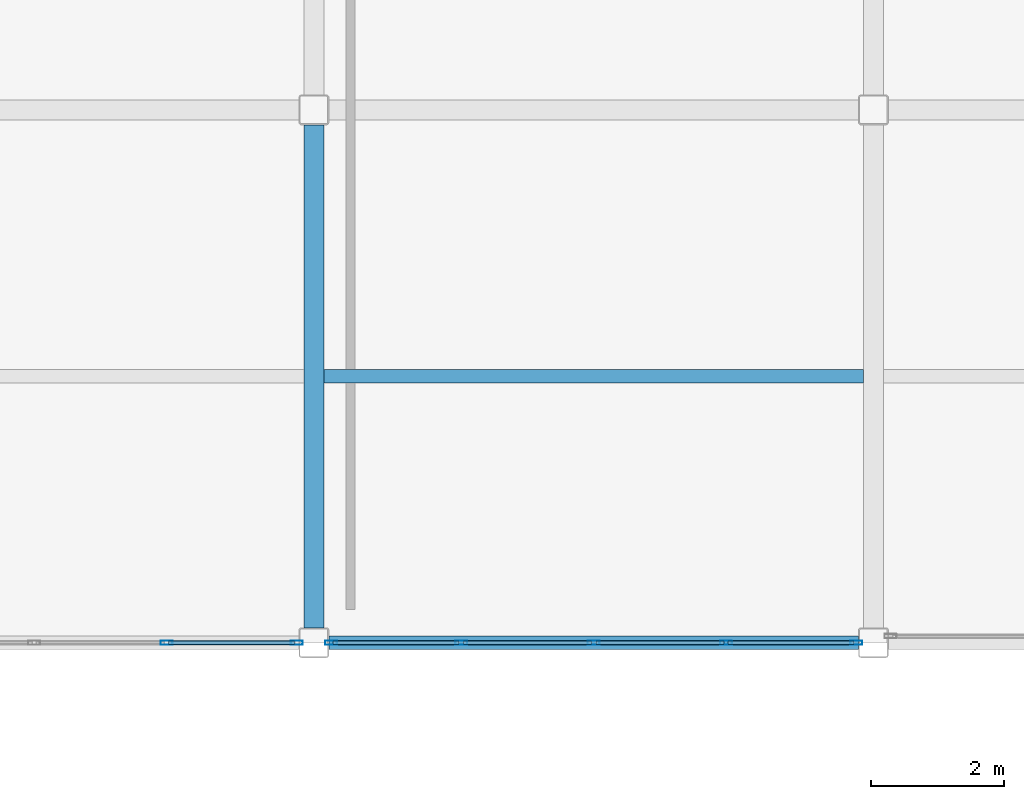
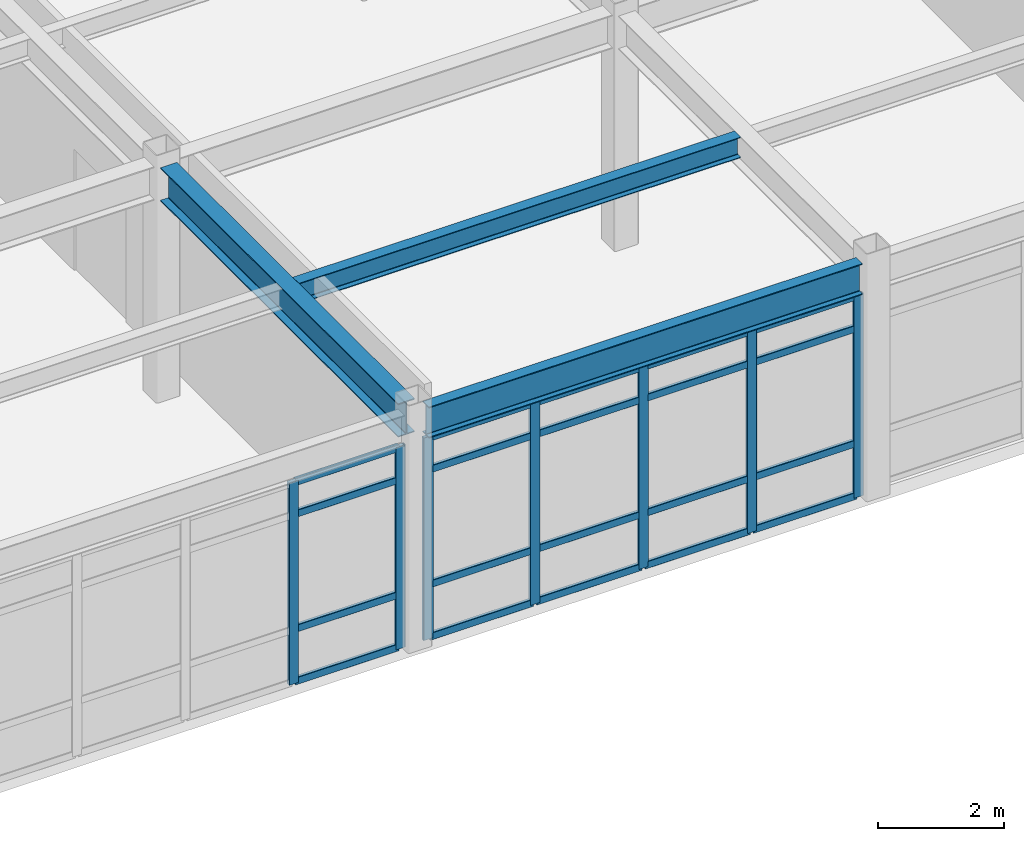
# One storey, part 80 of 172: 27 members, 3 beams, 2 elements without a shape of their own.
"""IFC4 building model written with IfcOpenShell, lengths in metres."""

import ifcopenshell
import ifcopenshell.guid

model = None  # the IFC model being written
_history = None  # IfcOwnerHistory: only IFC2X3 demands one
_inside = {}  # id of a spatial element -> (the spatial element, [elements in it])
_under = {}  # id of a project, library or spatial element -> (it, [spatial elements below it])
_declared = {}  # id of a project -> (the project, [libraries it declares])
_typed = {}  # id of a type object -> (the type object, [elements of that type])
_made_of = {}  # id of a material, layer set ... -> (it, [elements and type objects made of it])


def new_model(schema):
    """Start an empty IFC model of exactly this schema.

    Asked for "IFC4X3", IfcOpenShell would pick the latest addendum, in which some entities
    have other attributes; the version numbers below select the first issue.
    IFC2X3 requires an IfcOwnerHistory on every rooted entity: one is made here for all.
    """
    global model, _history
    if schema == "IFC4X3":
        model = ifcopenshell.file(schema_version=(4, 3, 0, 0))
    else:
        model = ifcopenshell.file(schema=schema)
    _inside.clear()
    _under.clear()
    _declared.clear()
    _typed.clear()
    _made_of.clear()
    _history = None
    if model.schema == "IFC2X3":
        org = make("IfcOrganization", Name="unknown")
        user = make(
            "IfcPersonAndOrganization",
            ThePerson=make("IfcPerson", FamilyName="unknown"),
            TheOrganization=org,
        )
        app = make(
            "IfcApplication",
            ApplicationDeveloper=org,
            Version="unknown",
            ApplicationFullName="unknown",
            ApplicationIdentifier="unknown",
        )
        _history = make(
            "IfcOwnerHistory",
            OwningUser=user,
            OwningApplication=app,
            ChangeAction="ADDED",
            CreationDate=0,
        )
    return model


def make(cls, **values):
    """One entity of the class cls with the attributes given. An attribute that is None is left unset."""
    return model.create_entity(
        cls, **{name: value for name, value in values.items() if value is not None}
    )


def rooted(cls, **values):
    """An entity with a GlobalId (a new one), such as an element, a storey or a relation."""
    return make(cls, GlobalId=ifcopenshell.guid.new(), OwnerHistory=_history, **values)


def si_unit(unit_type, name, prefix=None):
    """IfcSIUnit, for example si_unit("LENGTHUNIT", "METRE", prefix="MILLI")."""
    return make("IfcSIUnit", UnitType=unit_type, Prefix=prefix, Name=name)


def assignment(units):
    """IfcUnitAssignment: the units of a project."""
    return None if units is None else make("IfcUnitAssignment", Units=units)


def point(xyz):
    """IfcCartesianPoint."""
    return None if xyz is None else make("IfcCartesianPoint", Coordinates=xyz)


def direction(xyz):
    """IfcDirection."""
    return None if xyz is None else make("IfcDirection", DirectionRatios=xyz)


def frame(location, z_axis=None, x_axis=None):
    """IfcAxis2Placement3D, a coordinate frame: its origin and axes. An axis left out is left unset."""
    return make(
        "IfcAxis2Placement3D",
        Location=point(location),
        Axis=direction(z_axis),
        RefDirection=direction(x_axis),
    )


def frame_2d(location, x_axis=None):
    """IfcAxis2Placement2D, a coordinate frame in the plane: its origin and x axis."""
    return make(
        "IfcAxis2Placement2D", Location=point(location), RefDirection=direction(x_axis)
    )


def origin():
    """The frame at (0, 0, 0) with its axes left unset."""
    return frame((0.0, 0.0, 0.0))


def origin_2d():
    """The frame at (0, 0) in the plane with its x axis left unset."""
    return frame_2d((0.0, 0.0))


def place(relative_to, where):
    """IfcLocalPlacement: puts the frame where relative to a parent placement (None: the world)."""
    return make(
        "IfcLocalPlacement", PlacementRelTo=relative_to, RelativePlacement=where
    )


def context(
    kind, dimensions, precision=None, world=None, true_north=None, identifier=None
):
    """IfcGeometricRepresentationContext, for example the 3D "Model" context."""
    return make(
        "IfcGeometricRepresentationContext",
        ContextIdentifier=identifier,
        ContextType=kind,
        CoordinateSpaceDimension=dimensions,
        Precision=precision,
        WorldCoordinateSystem=world,
        TrueNorth=true_north,
    )


def subcontext(parent, identifier, kind, view, scale=None):
    """IfcGeometricRepresentationSubContext, for example "Body" below "Model"."""
    return make(
        "IfcGeometricRepresentationSubContext",
        ContextIdentifier=identifier,
        ContextType=kind,
        ParentContext=parent,
        TargetScale=scale,
        TargetView=view,
    )


def project(units=None, contexts=None):
    """IfcProject with its units and contexts."""
    return rooted(
        "IfcProject",
        Name="project",
        RepresentationContexts=contexts,
        UnitsInContext=assignment(units),
    )


def spatial(cls, under=None, at=None, **own):
    """A site, building, storey or space (cls), placed at a placement, below another one or the project."""
    s = rooted(cls, ObjectPlacement=at, **own)
    if under is not None:
        _under.setdefault(under.id(), (under, []))[1].append(s)
    return s


def profile(cls, at=None, kind="AREA", **sizes):
    """A parametric profile (cls). Its sizes go by their IFC names, for example OverallWidth=200.0."""
    return make(cls, ProfileType=kind, Position=at, **sizes)


def hollow_rectangle(**sizes):
    """IfcRectangleHollowProfileDef."""
    return profile("IfcRectangleHollowProfileDef", **sizes)


def i_section(**sizes):
    """IfcIShapeProfileDef."""
    return profile("IfcIShapeProfileDef", **sizes)


def extrude(swept, where, along, depth):
    """IfcExtrudedAreaSolid: the profile swept, set in the frame where, extruded along a direction by depth."""
    return make(
        "IfcExtrudedAreaSolid",
        SweptArea=swept,
        Position=where,
        ExtrudedDirection=direction(along),
        Depth=depth,
    )


def shape(context_of_items, identifier, shape_type, items):
    """IfcShapeRepresentation: the items that make up one representation, for example the "Body"."""
    return make(
        "IfcShapeRepresentation",
        ContextOfItems=context_of_items,
        RepresentationIdentifier=identifier,
        RepresentationType=shape_type,
        Items=items,
    )


def material(Name=None, Category=None):
    """IfcMaterial."""
    return make("IfcMaterial", Name=Name, Category=Category)


def layer(
    of_material, thickness, ventilated=None, Name=None, Category=None, Priority=None
):
    """IfcMaterialLayer: one layer of a wall or slab, of a material (None: an air gap)."""
    return make(
        "IfcMaterialLayer",
        Material=of_material,
        LayerThickness=thickness,
        IsVentilated=ventilated,
        Name=Name,
        Category=Category,
        Priority=Priority,
    )


def layer_set(layers, Name=None):
    """IfcMaterialLayerSet."""
    return make("IfcMaterialLayerSet", MaterialLayers=layers, LayerSetName=Name)


def material_profile(
    of_material, cross_section, Name=None, Category=None, Priority=None
):
    """IfcMaterialProfile: a cross section and its material."""
    return make(
        "IfcMaterialProfile",
        Name=Name,
        Material=of_material,
        Profile=cross_section,
        Priority=Priority,
        Category=Category,
    )


def profile_set(profiles, Name=None, composite=None):
    """IfcMaterialProfileSet."""
    return make(
        "IfcMaterialProfileSet",
        Name=Name,
        MaterialProfiles=profiles,
        CompositeProfile=composite,
    )


def made_of(thing, what):
    """Note that an element or type object is made of a material, layer set ...; save() writes the relation."""
    if what is not None:
        _made_of.setdefault(what.id(), (what, []))[1].append(thing)
    return thing


def type_object(cls, material=None, **own):
    """A type object (cls), such as IfcWallType, which elements share."""
    return made_of(rooted(cls, **own), material)


def element(
    cls,
    number,
    at=None,
    inside=None,
    cuts=None,
    type_object=None,
    material=None,
    context=None,
    identifier="Body",
    shape_type=None,
    held_by="IfcProductDefinitionShape",
    body=None,
    shapes=None,
    **own,
):
    """One element of the class cls, such as IfcWall. Its Tag is "e" and its number.

    at: its placement. inside: the storey or other place that contains it. cuts: it is an
    opening in that element (IfcRelVoidsElement). A single representation is given by context,
    identifier, shape_type and body (its items); several are given by shapes. held_by: the class
    of the entity that holds the representations. save() writes the other relations.
    """
    e = rooted(cls, Tag="e%d" % number, ObjectPlacement=at, **own)
    if body is not None:
        shapes = [shape(context, identifier, shape_type, body)]
    if shapes is not None:
        e.Representation = make(held_by, Representations=shapes)
    if inside is not None:
        _inside.setdefault(inside.id(), (inside, []))[1].append(e)
    if cuts is not None:
        rooted(
            "IfcRelVoidsElement", RelatingBuildingElement=cuts, RelatedOpeningElement=e
        )
    if type_object is not None:
        _typed.setdefault(type_object.id(), (type_object, []))[1].append(e)
    return made_of(e, material)


def aggregate(whole, parts):
    """IfcRelAggregates: a whole, such as a stair, and the parts it consists of."""
    return rooted("IfcRelAggregates", RelatingObject=whole, RelatedObjects=parts)


def save(model, path):
    """Write the relations noted so far, then the file.

    IfcRelAggregates (storeys below a building ...), IfcRelContainedInSpatialStructure (elements
    in a storey), IfcRelDefinesByType, IfcRelAssociatesMaterial and IfcRelDeclares: one each for
    every whole, place, type object, material and project.
    """
    for whole, parts in _under.values():
        aggregate(whole, parts)
    for where, things in _inside.values():
        rooted(
            "IfcRelContainedInSpatialStructure",
            RelatedElements=things,
            RelatingStructure=where,
        )
    for kind, things in _typed.values():
        rooted("IfcRelDefinesByType", RelatedObjects=things, RelatingType=kind)
    for what, things in _made_of.values():
        rooted("IfcRelAssociatesMaterial", RelatedObjects=things, RelatingMaterial=what)
    for by, libraries in _declared.values():
        rooted("IfcRelDeclares", RelatingContext=by, RelatedDefinitions=libraries)
    model.write(path)


model = new_model("IFC4")

# Units and contexts
model_context = context("Model", 3, precision=1e-05, world=origin(), true_north=direction((0.0, 1.0)))
body_context = subcontext(model_context, "Body", "Model", "MODEL_VIEW")
ifc_project = project(units=[si_unit("LENGTHUNIT", "METRE"), si_unit("AREAUNIT", "SQUARE_METRE"), si_unit("VOLUMEUNIT", "CUBIC_METRE"), si_unit("PLANEANGLEUNIT", "RADIAN"), si_unit("MASSUNIT", "GRAM", prefix="KILO")], contexts=[model_context])

# Site, building, storey
site_placement = place(None, origin())
site = spatial("IfcSite", under=ifc_project, at=site_placement, CompositionType="ELEMENT")
building_placement = place(site_placement, origin())
building = spatial("IfcBuilding", under=site, at=building_placement, Name="Kazehara Bluff Congress Hotel", CompositionType="ELEMENT")
storey_placement = place(building_placement, frame((0.0, 0.0, 5.39990234375)))
storey = spatial("IfcBuildingStorey", under=building, at=storey_placement, Name="L01", CompositionType="ELEMENT", Elevation=5.39990234375)

# Curtain wall, members
ifc_material_1 = material(Name="Anodised aluminium", Category="aluminium")
ifc_layer = layer(ifc_material_1, 0.159912109375)
ifc_layer_set = layer_set([ifc_layer], Name="Anodised aluminium")
curtain_wall_type = type_object("IfcCurtainWallType", Name="TP-CW-37", PredefinedType="NOTDEFINED", material=ifc_layer_set)
curtain_wall_1_placement = place(storey_placement, origin())
curtain_wall_1 = element("IfcCurtainWall", 1, at=curtain_wall_1_placement, inside=storey, type_object=curtain_wall_type, Name="L01 curtain wall CW-37 CW-V3-L01-Y8090-7628", PredefinedType="NOTDEFINED")
ifc_material_2 = material(Name="Anodised aluminium", Category="aluminium")
ifc_material_profile_1 = material_profile(ifc_material_2, hollow_rectangle(XDim=0.06494140625, YDim=0.179931640625, WallThickness=0.00390625, InnerFilletRadius=0.00390625, OuterFilletRadius=0.008056640625, at=origin_2d()))
ifc_profile_set_1 = profile_set([ifc_material_profile_1], Name="Anodised aluminium")
member_type_1 = type_object("IfcMemberType", Name="TP-CWM-02", PredefinedType="MULLION", material=ifc_profile_set_1)
member_1_placement = place(storey_placement, frame((82.237548828125, 80.89990234375, 0.0), z_axis=(0.0, 0.0, 1.0), x_axis=(0.0, 1.0, 0.0)))
member_1 = element("IfcMember", 2, at=member_1_placement, type_object=member_type_1, Name="CW-37 mullion 4", PredefinedType="MULLION", context=body_context, shape_type="SweptSolid", body=[
    extrude(hollow_rectangle(XDim=0.06494140625, YDim=0.179931640625, WallThickness=0.00390625, InnerFilletRadius=0.00390625, OuterFilletRadius=0.008056640625, at=origin_2d()), origin(), (0.0, 0.0, 1.0), 3.925048828125),
])
member_2_placement = place(storey_placement, frame((84.1923828125, 80.89990234375, 0.0), z_axis=(0.0, 0.0, 1.0), x_axis=(0.0, 1.0, 0.0)))
member_2 = element("IfcMember", 3, at=member_2_placement, type_object=member_type_1, Name="CW-37 mullion 5", PredefinedType="MULLION", context=body_context, shape_type="SweptSolid", body=[
    extrude(hollow_rectangle(XDim=0.06494140625, YDim=0.179931640625, WallThickness=0.00390625, InnerFilletRadius=0.00390625, OuterFilletRadius=0.008056640625, at=origin_2d()), origin(), (0.0, 0.0, 1.0), 3.925048828125),
])

curtain_wall_2_placement = place(storey_placement, origin())
curtain_wall_2 = element("IfcCurtainWall", 4, at=curtain_wall_2_placement, inside=storey, type_object=curtain_wall_type, Name="L01 curtain wall CW-37 CW-V3-L01-Y8090-8468", PredefinedType="NOTDEFINED")
member_3_placement = place(storey_placement, frame((84.70751953125, 80.89990234375, 0.0), z_axis=(0.0, 0.0, 1.0), x_axis=(0.0, 1.0, 0.0)))
member_3 = element("IfcMember", 5, at=member_3_placement, type_object=member_type_1, Name="CW-37 mullion 1", PredefinedType="MULLION", context=body_context, shape_type="SweptSolid", body=[
    extrude(hollow_rectangle(XDim=0.06494140625, YDim=0.179931640625, WallThickness=0.00390625, InnerFilletRadius=0.00390625, OuterFilletRadius=0.008056640625, at=origin_2d()), origin(), (0.0, 0.0, 1.0), 3.925048828125),
])
member_4_placement = place(storey_placement, frame((86.66259765625, 80.89990234375, 0.0), z_axis=(0.0, 0.0, 1.0), x_axis=(0.0, 1.0, 0.0)))
member_4 = element("IfcMember", 6, at=member_4_placement, type_object=member_type_1, Name="CW-37 mullion 2", PredefinedType="MULLION", context=body_context, shape_type="SweptSolid", body=[
    extrude(hollow_rectangle(XDim=0.06494140625, YDim=0.179931640625, WallThickness=0.00390625, InnerFilletRadius=0.00390625, OuterFilletRadius=0.008056640625, at=origin_2d()), origin(), (0.0, 0.0, 1.0), 3.925048828125),
])
member_5_placement = place(storey_placement, frame((88.64990234375, 80.89990234375, 0.0), z_axis=(0.0, 0.0, 1.0), x_axis=(0.0, 1.0, 0.0)))
member_5 = element("IfcMember", 7, at=member_5_placement, type_object=member_type_1, Name="CW-37 mullion 3", PredefinedType="MULLION", context=body_context, shape_type="SweptSolid", body=[
    extrude(hollow_rectangle(XDim=0.06494140625, YDim=0.179931640625, WallThickness=0.00390625, InnerFilletRadius=0.00390625, OuterFilletRadius=0.008056640625, at=origin_2d()), origin(), (0.0, 0.0, 1.0), 3.925048828125),
])
member_6_placement = place(storey_placement, frame((90.637451171875, 80.89990234375, 0.0), z_axis=(0.0, 0.0, 1.0), x_axis=(0.0, 1.0, 0.0)))
member_6 = element("IfcMember", 8, at=member_6_placement, type_object=member_type_1, Name="CW-37 mullion 4", PredefinedType="MULLION", context=body_context, shape_type="SweptSolid", body=[
    extrude(hollow_rectangle(XDim=0.06494140625, YDim=0.179931640625, WallThickness=0.00390625, InnerFilletRadius=0.00390625, OuterFilletRadius=0.008056640625, at=origin_2d()), origin(), (0.0, 0.0, 1.0), 3.925048828125),
])
member_7_placement = place(storey_placement, frame((92.592529296875, 80.89990234375, 0.0), z_axis=(0.0, 0.0, 1.0), x_axis=(0.0, 1.0, 0.0)))
member_7 = element("IfcMember", 9, at=member_7_placement, type_object=member_type_1, Name="CW-37 mullion 5", PredefinedType="MULLION", context=body_context, shape_type="SweptSolid", body=[
    extrude(hollow_rectangle(XDim=0.06494140625, YDim=0.179931640625, WallThickness=0.00390625, InnerFilletRadius=0.00390625, OuterFilletRadius=0.008056640625, at=origin_2d()), origin(), (0.0, 0.0, 1.0), 3.925048828125),
])

# Member
ifc_material_3 = material(Name="Anodised aluminium", Category="aluminium")
ifc_material_profile_2 = material_profile(ifc_material_3, hollow_rectangle(XDim=0.06494140625, YDim=0.139892578125, WallThickness=0.00390625, InnerFilletRadius=0.00390625, OuterFilletRadius=0.008056640625, at=origin_2d()))
ifc_profile_set_2 = profile_set([ifc_material_profile_2], Name="Anodised aluminium")
member_type_2 = type_object("IfcMemberType", Name="TP-CWT-02", PredefinedType="USERDEFINED", material=ifc_profile_set_2)
member_8_placement = place(storey_placement, frame((82.27001953125, 80.89990234375, 0.03271484375), z_axis=(1.0, 0.0, 0.0), x_axis=(0.0, 1.0, 0.0)))
member_8 = element("IfcMember", 10, at=member_8_placement, type_object=member_type_2, Name="CW-37 transom 4.1", ObjectType="TRANSOM", PredefinedType="USERDEFINED", context=body_context, shape_type="SweptSolid", body=[
    extrude(hollow_rectangle(XDim=0.06494140625, YDim=0.139892578125, WallThickness=0.00390625, InnerFilletRadius=0.00390625, OuterFilletRadius=0.008056640625, at=origin_2d()), origin(), (0.0, 0.0, 1.0), 1.889892578125),
])

member_9_placement = place(storey_placement, frame((82.27001953125, 80.89990234375, 1.050048828125), z_axis=(1.0, 0.0, 0.0), x_axis=(0.0, 1.0, 0.0)))
member_9 = element("IfcMember", 11, at=member_9_placement, type_object=member_type_2, Name="CW-37 transom 4.2", ObjectType="TRANSOM", PredefinedType="USERDEFINED", context=body_context, shape_type="SweptSolid", body=[
    extrude(hollow_rectangle(XDim=0.06494140625, YDim=0.139892578125, WallThickness=0.00390625, InnerFilletRadius=0.00390625, OuterFilletRadius=0.008056640625, at=origin_2d()), origin(), (0.0, 0.0, 1.0), 1.889892578125),
])

member_10_placement = place(storey_placement, frame((82.27001953125, 80.89990234375, 3.275146484375), z_axis=(1.0, 0.0, 0.0), x_axis=(0.0, 1.0, 0.0)))
member_10 = element("IfcMember", 12, at=member_10_placement, type_object=member_type_2, Name="CW-37 transom 4.3", ObjectType="TRANSOM", PredefinedType="USERDEFINED", context=body_context, shape_type="SweptSolid", body=[
    extrude(hollow_rectangle(XDim=0.06494140625, YDim=0.139892578125, WallThickness=0.00390625, InnerFilletRadius=0.00390625, OuterFilletRadius=0.008056640625, at=origin_2d()), origin(), (0.0, 0.0, 1.0), 1.889892578125),
])

member_11_placement = place(storey_placement, frame((82.27001953125, 80.89990234375, 3.892578125), z_axis=(1.0, 0.0, 0.0), x_axis=(0.0, 1.0, 0.0)))
member_11 = element("IfcMember", 13, at=member_11_placement, type_object=member_type_2, Name="CW-37 transom 4.4", ObjectType="TRANSOM", PredefinedType="USERDEFINED", context=body_context, shape_type="SweptSolid", body=[
    extrude(hollow_rectangle(XDim=0.06494140625, YDim=0.139892578125, WallThickness=0.00390625, InnerFilletRadius=0.00390625, OuterFilletRadius=0.008056640625, at=origin_2d()), origin(), (0.0, 0.0, 1.0), 1.889892578125),
])

aggregate(curtain_wall_1, [member_1, member_2, member_8, member_9, member_10, member_11])

member_12_placement = place(storey_placement, frame((84.739990234375, 80.89990234375, 0.03271484375), z_axis=(1.0, 0.0, 0.0), x_axis=(0.0, 1.0, 0.0)))
member_12 = element("IfcMember", 14, at=member_12_placement, type_object=member_type_2, Name="CW-37 transom 1.1", ObjectType="TRANSOM", PredefinedType="USERDEFINED", context=body_context, shape_type="SweptSolid", body=[
    extrude(hollow_rectangle(XDim=0.06494140625, YDim=0.139892578125, WallThickness=0.00390625, InnerFilletRadius=0.00390625, OuterFilletRadius=0.008056640625, at=origin_2d()), origin(), (0.0, 0.0, 1.0), 1.889892578125),
])

member_13_placement = place(storey_placement, frame((84.739990234375, 80.89990234375, 1.050048828125), z_axis=(1.0, 0.0, 0.0), x_axis=(0.0, 1.0, 0.0)))
member_13 = element("IfcMember", 15, at=member_13_placement, type_object=member_type_2, Name="CW-37 transom 1.2", ObjectType="TRANSOM", PredefinedType="USERDEFINED", context=body_context, shape_type="SweptSolid", body=[
    extrude(hollow_rectangle(XDim=0.06494140625, YDim=0.139892578125, WallThickness=0.00390625, InnerFilletRadius=0.00390625, OuterFilletRadius=0.008056640625, at=origin_2d()), origin(), (0.0, 0.0, 1.0), 1.889892578125),
])

member_14_placement = place(storey_placement, frame((84.739990234375, 80.89990234375, 3.275146484375), z_axis=(1.0, 0.0, 0.0), x_axis=(0.0, 1.0, 0.0)))
member_14 = element("IfcMember", 16, at=member_14_placement, type_object=member_type_2, Name="CW-37 transom 1.3", ObjectType="TRANSOM", PredefinedType="USERDEFINED", context=body_context, shape_type="SweptSolid", body=[
    extrude(hollow_rectangle(XDim=0.06494140625, YDim=0.139892578125, WallThickness=0.00390625, InnerFilletRadius=0.00390625, OuterFilletRadius=0.008056640625, at=origin_2d()), origin(), (0.0, 0.0, 1.0), 1.889892578125),
])

member_15_placement = place(storey_placement, frame((84.739990234375, 80.89990234375, 3.892578125), z_axis=(1.0, 0.0, 0.0), x_axis=(0.0, 1.0, 0.0)))
member_15 = element("IfcMember", 17, at=member_15_placement, type_object=member_type_2, Name="CW-37 transom 1.4", ObjectType="TRANSOM", PredefinedType="USERDEFINED", context=body_context, shape_type="SweptSolid", body=[
    extrude(hollow_rectangle(XDim=0.06494140625, YDim=0.139892578125, WallThickness=0.00390625, InnerFilletRadius=0.00390625, OuterFilletRadius=0.008056640625, at=origin_2d()), origin(), (0.0, 0.0, 1.0), 1.889892578125),
])

member_16_placement = place(storey_placement, frame((86.695068359375, 80.89990234375, 0.03271484375), z_axis=(1.0, 0.0, 0.0), x_axis=(0.0, 1.0, 0.0)))
member_16 = element("IfcMember", 18, at=member_16_placement, type_object=member_type_2, Name="CW-37 transom 2.1", ObjectType="TRANSOM", PredefinedType="USERDEFINED", context=body_context, shape_type="SweptSolid", body=[
    extrude(hollow_rectangle(XDim=0.06494140625, YDim=0.139892578125, WallThickness=0.00390625, InnerFilletRadius=0.00390625, OuterFilletRadius=0.008056640625, at=origin_2d()), origin(), (0.0, 0.0, 1.0), 1.92236328125),
])

member_17_placement = place(storey_placement, frame((86.695068359375, 80.89990234375, 1.050048828125), z_axis=(1.0, 0.0, 0.0), x_axis=(0.0, 1.0, 0.0)))
member_17 = element("IfcMember", 19, at=member_17_placement, type_object=member_type_2, Name="CW-37 transom 2.2", ObjectType="TRANSOM", PredefinedType="USERDEFINED", context=body_context, shape_type="SweptSolid", body=[
    extrude(hollow_rectangle(XDim=0.06494140625, YDim=0.139892578125, WallThickness=0.00390625, InnerFilletRadius=0.00390625, OuterFilletRadius=0.008056640625, at=origin_2d()), origin(), (0.0, 0.0, 1.0), 1.92236328125),
])

member_18_placement = place(storey_placement, frame((86.695068359375, 80.89990234375, 3.275146484375), z_axis=(1.0, 0.0, 0.0), x_axis=(0.0, 1.0, 0.0)))
member_18 = element("IfcMember", 20, at=member_18_placement, type_object=member_type_2, Name="CW-37 transom 2.3", ObjectType="TRANSOM", PredefinedType="USERDEFINED", context=body_context, shape_type="SweptSolid", body=[
    extrude(hollow_rectangle(XDim=0.06494140625, YDim=0.139892578125, WallThickness=0.00390625, InnerFilletRadius=0.00390625, OuterFilletRadius=0.008056640625, at=origin_2d()), origin(), (0.0, 0.0, 1.0), 1.92236328125),
])

member_19_placement = place(storey_placement, frame((86.695068359375, 80.89990234375, 3.892578125), z_axis=(1.0, 0.0, 0.0), x_axis=(0.0, 1.0, 0.0)))
member_19 = element("IfcMember", 21, at=member_19_placement, type_object=member_type_2, Name="CW-37 transom 2.4", ObjectType="TRANSOM", PredefinedType="USERDEFINED", context=body_context, shape_type="SweptSolid", body=[
    extrude(hollow_rectangle(XDim=0.06494140625, YDim=0.139892578125, WallThickness=0.00390625, InnerFilletRadius=0.00390625, OuterFilletRadius=0.008056640625, at=origin_2d()), origin(), (0.0, 0.0, 1.0), 1.92236328125),
])

member_20_placement = place(storey_placement, frame((88.6826171875, 80.89990234375, 0.03271484375), z_axis=(1.0, 0.0, 0.0), x_axis=(0.0, 1.0, 0.0)))
member_20 = element("IfcMember", 22, at=member_20_placement, type_object=member_type_2, Name="CW-37 transom 3.1", ObjectType="TRANSOM", PredefinedType="USERDEFINED", context=body_context, shape_type="SweptSolid", body=[
    extrude(hollow_rectangle(XDim=0.06494140625, YDim=0.139892578125, WallThickness=0.00390625, InnerFilletRadius=0.00390625, OuterFilletRadius=0.008056640625, at=origin_2d()), origin(), (0.0, 0.0, 1.0), 1.92236328125),
])

member_21_placement = place(storey_placement, frame((88.6826171875, 80.89990234375, 1.050048828125), z_axis=(1.0, 0.0, 0.0), x_axis=(0.0, 1.0, 0.0)))
member_21 = element("IfcMember", 23, at=member_21_placement, type_object=member_type_2, Name="CW-37 transom 3.2", ObjectType="TRANSOM", PredefinedType="USERDEFINED", context=body_context, shape_type="SweptSolid", body=[
    extrude(hollow_rectangle(XDim=0.06494140625, YDim=0.139892578125, WallThickness=0.00390625, InnerFilletRadius=0.00390625, OuterFilletRadius=0.008056640625, at=origin_2d()), origin(), (0.0, 0.0, 1.0), 1.92236328125),
])

member_22_placement = place(storey_placement, frame((88.6826171875, 80.89990234375, 3.275146484375), z_axis=(1.0, 0.0, 0.0), x_axis=(0.0, 1.0, 0.0)))
member_22 = element("IfcMember", 24, at=member_22_placement, type_object=member_type_2, Name="CW-37 transom 3.3", ObjectType="TRANSOM", PredefinedType="USERDEFINED", context=body_context, shape_type="SweptSolid", body=[
    extrude(hollow_rectangle(XDim=0.06494140625, YDim=0.139892578125, WallThickness=0.00390625, InnerFilletRadius=0.00390625, OuterFilletRadius=0.008056640625, at=origin_2d()), origin(), (0.0, 0.0, 1.0), 1.92236328125),
])

member_23_placement = place(storey_placement, frame((88.6826171875, 80.89990234375, 3.892578125), z_axis=(1.0, 0.0, 0.0), x_axis=(0.0, 1.0, 0.0)))
member_23 = element("IfcMember", 25, at=member_23_placement, type_object=member_type_2, Name="CW-37 transom 3.4", ObjectType="TRANSOM", PredefinedType="USERDEFINED", context=body_context, shape_type="SweptSolid", body=[
    extrude(hollow_rectangle(XDim=0.06494140625, YDim=0.139892578125, WallThickness=0.00390625, InnerFilletRadius=0.00390625, OuterFilletRadius=0.008056640625, at=origin_2d()), origin(), (0.0, 0.0, 1.0), 1.92236328125),
])

member_24_placement = place(storey_placement, frame((90.669921875, 80.89990234375, 0.03271484375), z_axis=(1.0, 0.0, 0.0), x_axis=(0.0, 1.0, 0.0)))
member_24 = element("IfcMember", 26, at=member_24_placement, type_object=member_type_2, Name="CW-37 transom 4.1", ObjectType="TRANSOM", PredefinedType="USERDEFINED", context=body_context, shape_type="SweptSolid", body=[
    extrude(hollow_rectangle(XDim=0.06494140625, YDim=0.139892578125, WallThickness=0.00390625, InnerFilletRadius=0.00390625, OuterFilletRadius=0.008056640625, at=origin_2d()), origin(), (0.0, 0.0, 1.0), 1.89013671875),
])

member_25_placement = place(storey_placement, frame((90.669921875, 80.89990234375, 1.050048828125), z_axis=(1.0, 0.0, 0.0), x_axis=(0.0, 1.0, 0.0)))
member_25 = element("IfcMember", 27, at=member_25_placement, type_object=member_type_2, Name="CW-37 transom 4.2", ObjectType="TRANSOM", PredefinedType="USERDEFINED", context=body_context, shape_type="SweptSolid", body=[
    extrude(hollow_rectangle(XDim=0.06494140625, YDim=0.139892578125, WallThickness=0.00390625, InnerFilletRadius=0.00390625, OuterFilletRadius=0.008056640625, at=origin_2d()), origin(), (0.0, 0.0, 1.0), 1.89013671875),
])

member_26_placement = place(storey_placement, frame((90.669921875, 80.89990234375, 3.275146484375), z_axis=(1.0, 0.0, 0.0), x_axis=(0.0, 1.0, 0.0)))
member_26 = element("IfcMember", 28, at=member_26_placement, type_object=member_type_2, Name="CW-37 transom 4.3", ObjectType="TRANSOM", PredefinedType="USERDEFINED", context=body_context, shape_type="SweptSolid", body=[
    extrude(hollow_rectangle(XDim=0.06494140625, YDim=0.139892578125, WallThickness=0.00390625, InnerFilletRadius=0.00390625, OuterFilletRadius=0.008056640625, at=origin_2d()), origin(), (0.0, 0.0, 1.0), 1.89013671875),
])

member_27_placement = place(storey_placement, frame((90.669921875, 80.89990234375, 3.892578125), z_axis=(1.0, 0.0, 0.0), x_axis=(0.0, 1.0, 0.0)))
member_27 = element("IfcMember", 29, at=member_27_placement, type_object=member_type_2, Name="CW-37 transom 4.4", ObjectType="TRANSOM", PredefinedType="USERDEFINED", context=body_context, shape_type="SweptSolid", body=[
    extrude(hollow_rectangle(XDim=0.06494140625, YDim=0.139892578125, WallThickness=0.00390625, InnerFilletRadius=0.00390625, OuterFilletRadius=0.008056640625, at=origin_2d()), origin(), (0.0, 0.0, 1.0), 1.89013671875),
])

aggregate(curtain_wall_2, [member_3, member_4, member_5, member_6, member_7, member_12, member_13, member_14, member_15, member_16, member_17, member_18, member_19, member_20, member_21, member_22, member_23, member_24, member_25, member_26, member_27])

# Beams
ifc_material_4 = material(Name="Steel SN490B", Category="steel")
ifc_material_profile_3 = material_profile(ifc_material_4, i_section(OverallWidth=0.300048828125, OverallDepth=0.64990234375, WebThickness=0.011962890625, FlangeThickness=0.02001953125, FilletRadius=0.012939453125, at=origin_2d()))
ifc_profile_set_3 = profile_set([ifc_material_profile_3], Name="Steel SN490B")
beam_type_1 = type_object("IfcBeamType", Name="TP-G-03", PredefinedType="BEAM", material=ifc_profile_set_3)
beam_1_placement = place(storey_placement, frame((84.449951171875, 81.125, 4.22509765625), z_axis=(0.0, 1.0, 0.0), x_axis=(-1.0, 0.0, 0.0)))
element("IfcBeam", 30, at=beam_1_placement, inside=storey, type_object=beam_type_1, Name="L01 girder G-03 111", PredefinedType="BEAM", context=body_context, shape_type="SweptSolid", body=[
    extrude(i_section(OverallWidth=0.300048828125, OverallDepth=0.64990234375, WebThickness=0.011962890625, FlangeThickness=0.02001953125, FilletRadius=0.012939453125, at=origin_2d()), origin(), (0.0, 0.0, 1.0), 7.550048828125),
])
ifc_material_5 = material(Name="Steel SN400B", Category="steel")
ifc_material_profile_4 = material_profile(ifc_material_5, i_section(OverallWidth=0.199951171875, OverallDepth=0.39990234375, WebThickness=0.008056640625, FlangeThickness=0.012939453125, FilletRadius=0.012939453125, at=origin_2d()))
ifc_profile_set_4 = profile_set([ifc_material_profile_4], Name="Steel SN400B")
beam_type_2 = type_object("IfcBeamType", Name="TP-J-03", PredefinedType="JOIST", material=ifc_profile_set_4)
beam_2_placement = place(storey_placement, frame((84.60009765625, 84.89990234375, 4.35009765625), z_axis=(1.0, 0.0, 0.0), x_axis=(0.0, 1.0, 0.0)))
element("IfcBeam", 31, at=beam_2_placement, inside=storey, type_object=beam_type_2, Name="L01 secondary joist J-03 25", PredefinedType="JOIST", context=body_context, shape_type="SweptSolid", body=[
    extrude(i_section(OverallWidth=0.199951171875, OverallDepth=0.39990234375, WebThickness=0.008056640625, FlangeThickness=0.012939453125, FilletRadius=0.012939453125, at=origin_2d()), origin(), (0.0, 0.0, 1.0), 8.099853515625),
])
ifc_material_6 = material(Name="Steel SN490B", Category="steel")
ifc_material_profile_5 = material_profile(ifc_material_6, i_section(OverallWidth=0.199951171875, OverallDepth=0.60009765625, WebThickness=0.010986328125, FlangeThickness=0.01708984375, FilletRadius=0.012939453125, at=origin_2d()))
ifc_profile_set_5 = profile_set([ifc_material_profile_5], Name="Steel SN490B")
beam_type_3 = type_object("IfcBeamType", Name="TP-SP-02", PredefinedType="SPANDREL", material=ifc_profile_set_5)
beam_3_placement = place(storey_placement, frame((84.675048828125, 80.89990234375, 4.25), z_axis=(1.0, 0.0, 0.0), x_axis=(0.0, 1.0, 0.0)))
element("IfcBeam", 32, at=beam_3_placement, inside=storey, type_object=beam_type_3, Name="L01 girder SP-02 126", PredefinedType="SPANDREL", context=body_context, shape_type="SweptSolid", body=[
    extrude(i_section(OverallWidth=0.199951171875, OverallDepth=0.60009765625, WebThickness=0.010986328125, FlangeThickness=0.01708984375, FilletRadius=0.012939453125, at=origin_2d()), origin(), (0.0, 0.0, 1.0), 7.949951171875),
])

save(model, "model.ifc")
